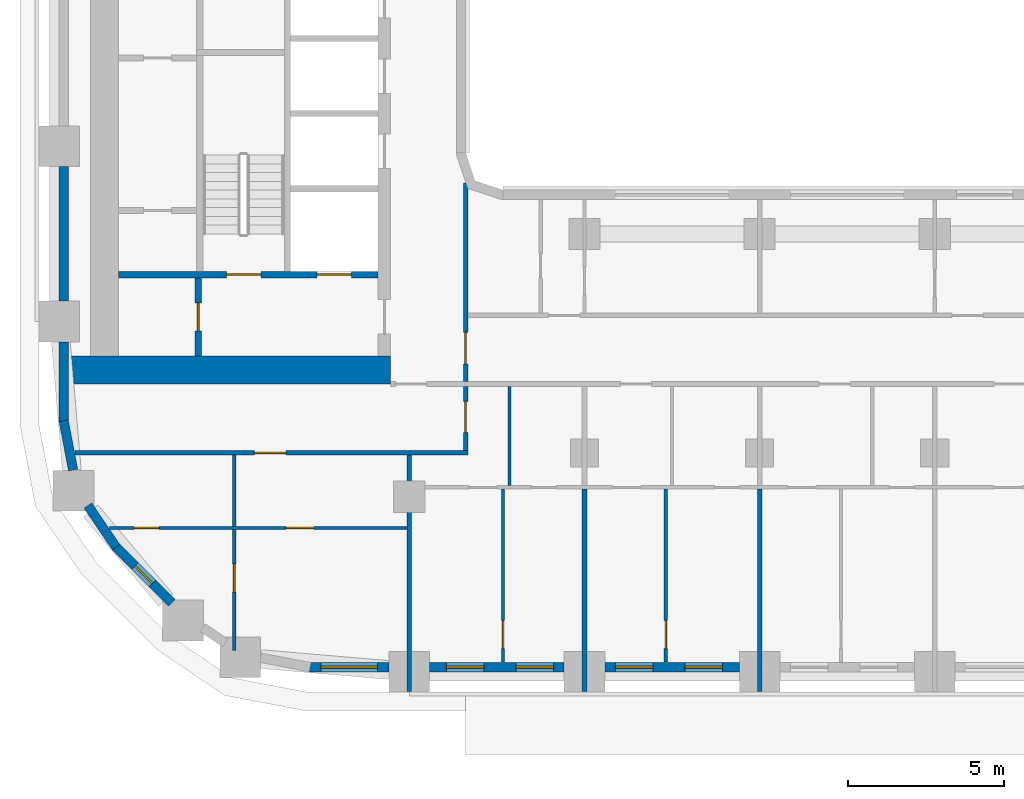
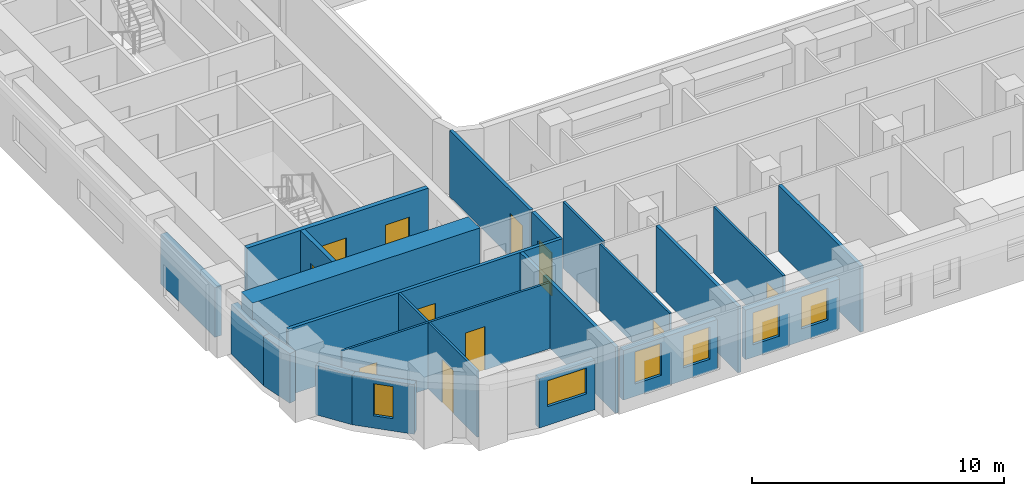
# One storey, part 2 of 22: 23 walls, 11 doors, 6 windows, 17 openings.
"""IFC4 building model written with IfcOpenShell, lengths in metres."""

from ifc_helpers import new_model, si_unit, direction, frame, frame_2d, origin, place, context, subcontext, project, spatial, rectangle, extrude, material, layer, layer_set, type_object, element, fill, save


model = new_model("IFC4")

# Units and contexts
model_context = context("Model", 3, precision=1e-05, world=origin(), true_north=direction((0.0, 1.0)))
body_context = subcontext(model_context, "Body", "Model", "MODEL_VIEW")
ifc_project = project(units=[si_unit("LENGTHUNIT", "METRE"), si_unit("AREAUNIT", "SQUARE_METRE"), si_unit("VOLUMEUNIT", "CUBIC_METRE"), si_unit("PLANEANGLEUNIT", "RADIAN"), si_unit("MASSUNIT", "GRAM", prefix="KILO")], contexts=[model_context])

# Site, building, storey
site_placement = place(None, origin())
site = spatial("IfcSite", under=ifc_project, at=site_placement, CompositionType="ELEMENT")
building_placement = place(site_placement, origin())
building = spatial("IfcBuilding", under=site, at=building_placement, Name="Kiln Ring Residences", CompositionType="ELEMENT")
storey_placement = place(building_placement, frame((0.0, 0.0, 90.300048828125)))
storey = spatial("IfcBuildingStorey", under=building, at=storey_placement, Name="L22", CompositionType="ELEMENT", Elevation=90.300048828125)

# Wall, opening, door
ifc_material_1 = material(Name="Gypsum board on steel studs", Category="steel")
ifc_layer_1 = layer(ifc_material_1, 0.199951171875)
ifc_layer_set_1 = layer_set([ifc_layer_1], Name="CORE-PARTITION-200")
wall_type_1 = type_object("IfcWallType", Name="CORE-PARTITION-200", PredefinedType="PARTITIONING", material=ifc_layer_set_1)
wall_1_placement = place(storey_placement, frame((-23.550048828125, -12.300048828125, 0.0), z_axis=(0.0, 0.0, 1.0), x_axis=(0.0, 1.0, 0.0)))
wall_1 = element("IfcWall", 1, at=wall_1_placement, inside=storey, type_object=wall_type_1, Name="Core partition west L22 5", PredefinedType="PARTITIONING", context=body_context, shape_type="SweptSolid", body=[
    extrude(rectangle(XDim=2.5, YDim=0.199951171875, at=frame_2d((1.25, 0.0))), origin(), (0.0, 0.0, 1.0), 3.199951171875),
])
opening_1_placement = place(wall_1_placement, frame((0.800048828125, 0.0, 0.0)))
opening_1 = element("IfcOpeningElement", 2, at=opening_1_placement, cuts=wall_1, Name="Opening L22-CW11", PredefinedType="OPENING", context=body_context, shape_type="SweptSolid", body=[
    extrude(rectangle(XDim=0.89990234375, YDim=2.10009765625, at=frame_2d((0.449951171875, 1.050048828125))), frame((0.0, 0.10986328125, 0.0), z_axis=(0.0, -1.0, 0.0), x_axis=(1.0, 0.0, 0.0)), (0.0, 0.0, 1.0), 0.219970703125),
])
ifc_material_2 = material(Name="Steel door leaf", Category="steel")
door_type_1 = type_object("IfcDoorType", Name="CORE-DOOR-ROOM", OperationType="SINGLE_SWING_LEFT", PredefinedType="DOOR", material=ifc_material_2)
door_1_placement = place(opening_1_placement, origin())
door_1 = element("IfcDoor", 3, at=door_1_placement, inside=storey, type_object=door_type_1, Name="Store L22-CW11", OperationType="SINGLE_SWING_LEFT", OverallHeight=2.10009765625, OverallWidth=0.89990234375, PredefinedType="DOOR", context=body_context, shape_type="SweptSolid", body=[
    extrude(rectangle(XDim=0.89990234375, YDim=2.10009765625, at=frame_2d((0.449951171875, 1.050048828125))), frame((0.0, 0.02490234375, 0.0), z_axis=(0.0, -1.0, 0.0), x_axis=(1.0, 0.0, 0.0)), (0.0, 0.0, 1.0), 0.050048828125),
])
fill(opening_1, door_1)

# Wall, openings, doors
ifc_material_3 = material(Name="Concrete C40/50", Category="concrete")
ifc_layer_2 = layer(ifc_material_3, 0.199951171875)
ifc_layer_set_2 = layer_set([ifc_layer_2], Name="CORE-WALL-RC200")
wall_type_2 = type_object("IfcWallType", Name="CORE-WALL-RC200", PredefinedType="SHEAR", material=ifc_layer_set_2)
wall_2_placement = place(storey_placement, frame((-17.800048828125, -9.699951171875, 0.0), z_axis=(0.0, 0.0, 1.0), x_axis=(-1.0, 0.0, 0.0)))
wall_2 = element("IfcWall", 4, at=wall_2_placement, inside=storey, type_object=wall_type_2, Name="Core wall west L22 8", PredefinedType="SHEAR", context=body_context, shape_type="SweptSolid", body=[
    extrude(rectangle(XDim=8.300048828125, YDim=0.199951171875, at=frame_2d((4.14990234375, 0.0))), origin(), (0.0, 0.0, 1.0), 3.199951171875),
])
opening_2_placement = place(wall_2_placement, frame((0.85009765625, 0.0, 0.0)))
opening_2 = element("IfcOpeningElement", 5, at=opening_2_placement, cuts=wall_2, Name="Opening L22-CW01", PredefinedType="OPENING", context=body_context, shape_type="SweptSolid", body=[
    extrude(rectangle(XDim=1.10009765625, YDim=2.10009765625, at=frame_2d((0.550048828125, 1.050048828125))), frame((0.0, 0.10986328125, 0.0), z_axis=(0.0, -1.0, 0.0), x_axis=(1.0, 0.0, 0.0)), (0.0, 0.0, 1.0), 0.219970703125),
])
opening_3_placement = place(wall_2_placement, frame((3.75, 0.0, 0.0)))
opening_3 = element("IfcOpeningElement", 6, at=opening_3_placement, cuts=wall_2, Name="Opening L22-CW13", PredefinedType="OPENING", context=body_context, shape_type="SweptSolid", body=[
    extrude(rectangle(XDim=1.10009765625, YDim=2.10009765625, at=frame_2d((0.550048828125, 1.050048828125))), frame((0.0, 0.10986328125, 0.0), z_axis=(0.0, -1.0, 0.0), x_axis=(1.0, 0.0, 0.0)), (0.0, 0.0, 1.0), 0.219970703125),
])
ifc_material_4 = material(Name="Steel door leaf", Category="steel")
door_type_2 = type_object("IfcDoorType", Name="CORE-DOOR-LD", OperationType="DOUBLE_DOOR_SLIDING", PredefinedType="DOOR", material=ifc_material_4)
door_2_placement = place(opening_2_placement, origin())
door_2 = element("IfcDoor", 7, at=door_2_placement, inside=storey, type_object=door_type_2, Name="LD W-SV L22-CW01", OperationType="DOUBLE_DOOR_SLIDING", OverallHeight=2.10009765625, OverallWidth=1.10009765625, PredefinedType="DOOR", context=body_context, shape_type="SweptSolid", body=[
    extrude(rectangle(XDim=1.10009765625, YDim=2.10009765625, at=frame_2d((0.550048828125, 1.050048828125))), frame((0.0, 0.02490234375, 0.0), z_axis=(0.0, -1.0, 0.0), x_axis=(1.0, 0.0, 0.0)), (0.0, 0.0, 1.0), 0.050048828125),
])
fill(opening_2, door_2)
ifc_material_5 = material(Name="Steel door leaf", Category="steel")
door_type_3 = type_object("IfcDoorType", Name="CORE-DOOR-STAIR", OperationType="SINGLE_SWING_LEFT", PredefinedType="DOOR", material=ifc_material_5)
door_3_placement = place(opening_3_placement, origin())
door_3 = element("IfcDoor", 8, at=door_3_placement, inside=storey, type_object=door_type_3, Name="Stair W-STS L22-CW13", OperationType="SINGLE_SWING_RIGHT", OverallHeight=2.10009765625, OverallWidth=1.10009765625, PredefinedType="DOOR", context=body_context, shape_type="SweptSolid", body=[
    extrude(rectangle(XDim=1.10009765625, YDim=2.10009765625, at=frame_2d((0.550048828125, 1.050048828125))), frame((0.0, 0.02490234375, 0.0), z_axis=(0.0, -1.0, 0.0), x_axis=(1.0, 0.0, 0.0)), (0.0, 0.0, 1.0), 0.050048828125),
])
fill(opening_3, door_3)

# Wall
ifc_material_6 = material(Name="Concrete C60/75", Category="concrete")
ifc_layer_3 = layer(ifc_material_6, 0.89990234375)
ifc_layer_set_3 = layer_set([ifc_layer_3], Name="CORE-WALL-RC900")
wall_type_3 = type_object("IfcWallType", Name="CORE-WALL-RC900", PredefinedType="SHEAR", material=ifc_layer_set_3)
wall_3_placement = place(storey_placement, frame((-17.39990234375, -12.75, 0.0), z_axis=(0.0, 0.0, 1.0), x_axis=(-1.0, 0.0, 0.0)))
element("IfcWall", 9, at=wall_3_placement, inside=storey, type_object=wall_type_3, Name="Core wall west L22 5", PredefinedType="SHEAR", context=body_context, shape_type="SweptSolid", body=[
    extrude(rectangle(XDim=10.400146484375, YDim=0.89990234375, at=frame_2d((5.2001953125, 0.0))), origin(), (0.0, 0.0, 1.0), 3.199951171875),
])

# Wall, opening, window
ifc_material_7 = material(Name="Brick masonry, dark clay brick", Category="masonry")
ifc_layer_4 = layer(ifc_material_7, 0.300048828125)
ifc_layer_set_4 = layer_set([ifc_layer_4], Name="EW-300 BRICK WALL")
wall_type_4 = type_object("IfcWallType", Name="EW-300 BRICK WALL", PredefinedType="SOLIDWALL", material=ifc_layer_set_4)
wall_4_placement = place(storey_placement, frame((-26.19677734375, -18.390869140625, 0.0), z_axis=(0.0, 0.0, 1.0), x_axis=(0.707058908279, -0.707154650853, 0.0)))
wall_4 = element("IfcWall", 10, at=wall_4_placement, inside=storey, type_object=wall_type_4, Name="Facade wall L22 1", PredefinedType="SOLIDWALL", context=body_context, shape_type="SweptSolid", body=[
    extrude(rectangle(XDim=2.550048828125, YDim=0.300048828125, at=frame_2d((1.27490234375, 0.0))), origin(), (0.0, 0.0, 1.0), 2.39990234375),
])
opening_4_placement = place(wall_4_placement, frame((0.875, 0.0, 0.60009765625)))
opening_4 = element("IfcOpeningElement", 11, at=opening_4_placement, cuts=wall_4, Name="Opening W5", PredefinedType="OPENING", context=body_context, shape_type="SweptSolid", body=[
    extrude(rectangle(XDim=0.800048828125, YDim=1.550048828125, at=frame_2d((0.39990234375, 0.77490234375))), frame((0.0, 0.159912109375, 0.0), z_axis=(0.0, -1.0, 0.0), x_axis=(1.0, 0.0, 0.0)), (0.0, 0.0, 1.0), 0.320068359375),
])
ifc_material_8 = material(Name="Aluminium frame with double glazing", Category="aluminium")
window_type_1 = type_object("IfcWindowType", Name="WINDOW 800 x 1550", PartitioningType="SINGLE_PANEL", PredefinedType="WINDOW", material=ifc_material_8)
window_1_placement = place(opening_4_placement, origin())
window_1 = element("IfcWindow", 12, at=window_1_placement, inside=storey, type_object=window_type_1, Name="Window L22 1", OverallHeight=1.550048828125, OverallWidth=0.800048828125, PartitioningType="SINGLE_PANEL", PredefinedType="WINDOW", context=body_context, shape_type="SweptSolid", body=[
    extrude(rectangle(XDim=0.800048828125, YDim=1.550048828125, at=frame_2d((0.39990234375, 0.77490234375))), frame((0.0, 0.030029296875, 0.0), z_axis=(0.0, -1.0, 0.0), x_axis=(1.0, 0.0, 0.0)), (0.0, 0.0, 1.0), 0.06005859375),
])
fill(opening_4, window_1)

wall_5_placement = place(storey_placement, frame((-20.0, -22.25, 0.0), z_axis=(0.0, 0.0, 1.0), x_axis=(1.0, 0.0, 0.0)))
wall_5 = element("IfcWall", 13, at=wall_5_placement, inside=storey, type_object=wall_type_4, Name="Facade wall L22 4", PredefinedType="SOLIDWALL", context=body_context, shape_type="SweptSolid", body=[
    extrude(rectangle(XDim=2.550048828125, YDim=0.300048828125, at=frame_2d((1.27490234375, 0.0))), origin(), (0.0, 0.0, 1.0), 2.39990234375),
])
opening_5_placement = place(wall_5_placement, frame((0.375, 0.0, 0.89990234375)))
opening_5 = element("IfcOpeningElement", 14, at=opening_5_placement, cuts=wall_5, Name="Opening W2", PredefinedType="OPENING", context=body_context, shape_type="SweptSolid", body=[
    extrude(rectangle(XDim=1.800048828125, YDim=1.25, at=frame_2d((0.89990234375, 0.625))), frame((0.0, 0.159912109375, 0.0), z_axis=(0.0, -1.0, 0.0), x_axis=(1.0, 0.0, 0.0)), (0.0, 0.0, 1.0), 0.320068359375),
])
ifc_material_9 = material(Name="Aluminium frame with double glazing", Category="aluminium")
window_type_2 = type_object("IfcWindowType", Name="WINDOW 1800 x 1250", PartitioningType="SINGLE_PANEL", PredefinedType="WINDOW", material=ifc_material_9)
window_2_placement = place(opening_5_placement, origin())
window_2 = element("IfcWindow", 15, at=window_2_placement, inside=storey, type_object=window_type_2, Name="Window L22 2", OverallHeight=1.25, OverallWidth=1.800048828125, PartitioningType="SINGLE_PANEL", PredefinedType="WINDOW", context=body_context, shape_type="SweptSolid", body=[
    extrude(rectangle(XDim=1.800048828125, YDim=1.25, at=frame_2d((0.89990234375, 0.625))), frame((0.0, 0.030029296875, 0.0), z_axis=(0.0, -1.0, 0.0), x_axis=(1.0, 0.0, 0.0)), (0.0, 0.0, 1.0), 0.06005859375),
])
fill(opening_5, window_2)

# Wall, openings, windows
wall_6_placement = place(storey_placement, frame((-16.14990234375, -22.25, 0.0), z_axis=(0.0, 0.0, 1.0), x_axis=(1.0, 0.0, 0.0)))
wall_6 = element("IfcWall", 16, at=wall_6_placement, inside=storey, type_object=wall_type_4, Name="Facade wall L22 5", PredefinedType="SOLIDWALL", context=body_context, shape_type="SweptSolid", body=[
    extrude(rectangle(XDim=4.2998046875, YDim=0.300048828125, at=frame_2d((2.14990234375, 0.0))), origin(), (0.0, 0.0, 1.0), 2.39990234375),
])
opening_6_placement = place(wall_6_placement, frame((0.53759765625, 0.0, 0.60009765625)))
opening_6 = element("IfcOpeningElement", 17, at=opening_6_placement, cuts=wall_6, Name="Opening W1", PredefinedType="OPENING", context=body_context, shape_type="SweptSolid", body=[
    extrude(rectangle(XDim=1.199951171875, YDim=1.550048828125, at=frame_2d((0.60009765625, 0.77490234375))), frame((0.0, 0.159912109375, 0.0), z_axis=(0.0, -1.0, 0.0), x_axis=(1.0, 0.0, 0.0)), (0.0, 0.0, 1.0), 0.320068359375),
])
opening_7_placement = place(wall_6_placement, frame((2.762451171875, 0.0, 0.60009765625)))
opening_7 = element("IfcOpeningElement", 18, at=opening_7_placement, cuts=wall_6, Name="Opening W1", PredefinedType="OPENING", context=body_context, shape_type="SweptSolid", body=[
    extrude(rectangle(XDim=1.199951171875, YDim=1.550048828125, at=frame_2d((0.60009765625, 0.77490234375))), frame((0.0, 0.159912109375, 0.0), z_axis=(0.0, -1.0, 0.0), x_axis=(1.0, 0.0, 0.0)), (0.0, 0.0, 1.0), 0.320068359375),
])
ifc_material_10 = material(Name="Aluminium frame with double glazing", Category="aluminium")
window_type_3 = type_object("IfcWindowType", Name="WINDOW 1200 x 1550", PartitioningType="SINGLE_PANEL", PredefinedType="WINDOW", material=ifc_material_10)
window_3_placement = place(opening_6_placement, origin())
window_3 = element("IfcWindow", 19, at=window_3_placement, inside=storey, type_object=window_type_3, Name="Window L22 3", OverallHeight=1.550048828125, OverallWidth=1.199951171875, PartitioningType="SINGLE_PANEL", PredefinedType="WINDOW", context=body_context, shape_type="SweptSolid", body=[
    extrude(rectangle(XDim=1.199951171875, YDim=1.550048828125, at=frame_2d((0.60009765625, 0.77490234375))), frame((0.0, 0.030029296875, 0.0), z_axis=(0.0, -1.0, 0.0), x_axis=(1.0, 0.0, 0.0)), (0.0, 0.0, 1.0), 0.06005859375),
])
fill(opening_6, window_3)
window_4_placement = place(opening_7_placement, origin())
window_4 = element("IfcWindow", 20, at=window_4_placement, inside=storey, type_object=window_type_3, Name="Window L22 4", OverallHeight=1.550048828125, OverallWidth=1.199951171875, PartitioningType="SINGLE_PANEL", PredefinedType="WINDOW", context=body_context, shape_type="SweptSolid", body=[
    extrude(rectangle(XDim=1.199951171875, YDim=1.550048828125, at=frame_2d((0.60009765625, 0.77490234375))), frame((0.0, 0.030029296875, 0.0), z_axis=(0.0, -1.0, 0.0), x_axis=(1.0, 0.0, 0.0)), (0.0, 0.0, 1.0), 0.06005859375),
])
fill(opening_7, window_4)

wall_7_placement = place(storey_placement, frame((-10.550048828125, -22.25, 0.0), z_axis=(0.0, 0.0, 1.0), x_axis=(1.0, 0.0, 0.0)))
wall_7 = element("IfcWall", 21, at=wall_7_placement, inside=storey, type_object=wall_type_4, Name="Facade wall L22 6", PredefinedType="SOLIDWALL", context=body_context, shape_type="SweptSolid", body=[
    extrude(rectangle(XDim=4.300048828125, YDim=0.300048828125, at=frame_2d((2.14990234375, 0.0))), origin(), (0.0, 0.0, 1.0), 2.39990234375),
])
opening_8_placement = place(wall_7_placement, frame((0.33740234375, 0.0, 0.60009765625)))
opening_8 = element("IfcOpeningElement", 22, at=opening_8_placement, cuts=wall_7, Name="Opening W1", PredefinedType="OPENING", context=body_context, shape_type="SweptSolid", body=[
    extrude(rectangle(XDim=1.199951171875, YDim=1.550048828125, at=frame_2d((0.60009765625, 0.77490234375))), frame((0.0, 0.159912109375, 0.0), z_axis=(0.0, -1.0, 0.0), x_axis=(1.0, 0.0, 0.0)), (0.0, 0.0, 1.0), 0.320068359375),
])
opening_9_placement = place(wall_7_placement, frame((2.5625, 0.0, 0.60009765625)))
opening_9 = element("IfcOpeningElement", 23, at=opening_9_placement, cuts=wall_7, Name="Opening W1", PredefinedType="OPENING", context=body_context, shape_type="SweptSolid", body=[
    extrude(rectangle(XDim=1.199951171875, YDim=1.550048828125, at=frame_2d((0.60009765625, 0.77490234375))), frame((0.0, 0.159912109375, 0.0), z_axis=(0.0, -1.0, 0.0), x_axis=(1.0, 0.0, 0.0)), (0.0, 0.0, 1.0), 0.320068359375),
])
window_5_placement = place(opening_8_placement, origin())
window_5 = element("IfcWindow", 24, at=window_5_placement, inside=storey, type_object=window_type_3, Name="Window L22 5", OverallHeight=1.550048828125, OverallWidth=1.199951171875, PartitioningType="SINGLE_PANEL", PredefinedType="WINDOW", context=body_context, shape_type="SweptSolid", body=[
    extrude(rectangle(XDim=1.199951171875, YDim=1.550048828125, at=frame_2d((0.60009765625, 0.77490234375))), frame((0.0, 0.030029296875, 0.0), z_axis=(0.0, -1.0, 0.0), x_axis=(1.0, 0.0, 0.0)), (0.0, 0.0, 1.0), 0.06005859375),
])
fill(opening_8, window_5)
window_6_placement = place(opening_9_placement, origin())
window_6 = element("IfcWindow", 25, at=window_6_placement, inside=storey, type_object=window_type_3, Name="Window L22 6", OverallHeight=1.550048828125, OverallWidth=1.199951171875, PartitioningType="SINGLE_PANEL", PredefinedType="WINDOW", context=body_context, shape_type="SweptSolid", body=[
    extrude(rectangle(XDim=1.199951171875, YDim=1.550048828125, at=frame_2d((0.60009765625, 0.77490234375))), frame((0.0, 0.030029296875, 0.0), z_axis=(0.0, -1.0, 0.0), x_axis=(1.0, 0.0, 0.0)), (0.0, 0.0, 1.0), 0.06005859375),
])
fill(opening_9, window_6)

# Walls
wall_8_placement = place(storey_placement, frame((-27.85009765625, -6.25, 0.0), z_axis=(0.0, 0.0, 1.0), x_axis=(0.0, -1.0, 0.0)))
element("IfcWall", 26, at=wall_8_placement, inside=storey, type_object=wall_type_4, Name="Facade wall L22 45", PredefinedType="SOLIDWALL", context=body_context, shape_type="SweptSolid", body=[
    extrude(rectangle(XDim=4.300048828125, YDim=0.300048828125, at=frame_2d((2.14990234375, 0.0))), origin(), (0.0, 0.0, 1.0), 2.39990234375),
])
wall_9_placement = place(storey_placement, frame((-27.85009765625, -11.85009765625, 0.0), z_axis=(0.0, 0.0, 1.0), x_axis=(0.0, -1.0, 0.0)))
element("IfcWall", 27, at=wall_9_placement, inside=storey, type_object=wall_type_4, Name="Facade wall L22 46", PredefinedType="SOLIDWALL", context=body_context, shape_type="SweptSolid", body=[
    extrude(rectangle(XDim=2.5498046875, YDim=0.300048828125, at=frame_2d((1.27490234375, 0.0))), origin(), (0.0, 0.0, 1.0), 2.39990234375),
])
for number, where, z_axis, x_axis, name in (
    (28, (-27.8525390625, -14.371826171875, 0.0), (0.0, 0.0, 1.0), (0.187279751651, -0.982306619453, 0.0), "Facade wall L22 47"),
    (29, (-27.08154296875, -17.08447265625, 0.0), (0.0, 0.0, 1.0), (0.562010605531, -0.827130025613, 0.0), "Facade wall L22 48"),
):
    element("IfcWall", number, at=place(storey_placement, frame(where, z_axis=z_axis, x_axis=x_axis)), inside=storey, type_object=wall_type_4, Name=name, PredefinedType="SOLIDWALL", context=body_context, shape_type="SweptSolid", body=[
        extrude(rectangle(XDim=1.60595703125, YDim=0.300048828125, at=frame_2d((0.802978515625, 0.0))), origin(), (0.0, 0.0, 1.0), 2.39990234375),
    ])

# Wall, openings, doors
ifc_material_11 = material(Name="Gypsum board on steel studs", Category="steel")
ifc_layer_5 = layer(ifc_material_11, 0.10009765625)
ifc_layer_set_5 = layer_set([ifc_layer_5], Name="PARTITION-100")
wall_type_5 = type_object("IfcWallType", Name="PARTITION-100", PredefinedType="PARTITIONING", material=ifc_layer_set_5)
wall_10_placement = place(storey_placement, frame((-26.39404296875, -17.800048828125, 0.0), z_axis=(0.0, 0.0, 1.0), x_axis=(1.0, 0.0, 0.0)))
wall_10 = element("IfcWall", 30, at=wall_10_placement, inside=storey, type_object=wall_type_5, Name="Partition 001", PredefinedType="PARTITIONING", context=body_context, shape_type="SweptSolid", body=[
    extrude(rectangle(XDim=9.51904296875, YDim=0.10009765625, at=frame_2d((4.759521484375, 0.0))), origin(), (0.0, 0.0, 1.0), 3.199951171875),
])
opening_10_placement = place(wall_10_placement, frame((0.7939453125, 0.0, 0.0)))
opening_10 = element("IfcOpeningElement", 31, at=opening_10_placement, cuts=wall_10, Name="Opening L22-D078", PredefinedType="OPENING", context=body_context, shape_type="SweptSolid", body=[
    extrude(rectangle(XDim=0.800048828125, YDim=2.10009765625, at=frame_2d((0.39990234375, 1.050048828125))), frame((0.0, 0.06005859375, 0.0), z_axis=(0.0, -1.0, 0.0), x_axis=(1.0, 0.0, 0.0)), (0.0, 0.0, 1.0), 0.1201171875),
])
opening_11_placement = place(wall_10_placement, frame((5.64404296875, 0.0, 0.0)))
opening_11 = element("IfcOpeningElement", 32, at=opening_11_placement, cuts=wall_10, Name="Opening L22-D079", PredefinedType="OPENING", context=body_context, shape_type="SweptSolid", body=[
    extrude(rectangle(XDim=0.89990234375, YDim=2.10009765625, at=frame_2d((0.449951171875, 1.050048828125))), frame((0.0, 0.06005859375, 0.0), z_axis=(0.0, -1.0, 0.0), x_axis=(1.0, 0.0, 0.0)), (0.0, 0.0, 1.0), 0.1201171875),
])
ifc_material_12 = material(Name="Timber door leaf", Category="wood")
door_type_4 = type_object("IfcDoorType", Name="FLAT-DOOR-800-PL", OperationType="SINGLE_SWING_LEFT", PredefinedType="DOOR", material=ifc_material_12)
door_4_placement = place(opening_10_placement, origin())
door_4 = element("IfcDoor", 33, at=door_4_placement, inside=storey, type_object=door_type_4, Name="Door L22-D078", OperationType="SINGLE_SWING_RIGHT", OverallHeight=2.10009765625, OverallWidth=0.800048828125, PredefinedType="DOOR", context=body_context, shape_type="SweptSolid", body=[
    extrude(rectangle(XDim=0.800048828125, YDim=2.10009765625, at=frame_2d((0.39990234375, 1.050048828125))), frame((0.0, 0.02490234375, 0.0), z_axis=(0.0, -1.0, 0.0), x_axis=(1.0, 0.0, 0.0)), (0.0, 0.0, 1.0), 0.050048828125),
])
fill(opening_10, door_4)
ifc_material_13 = material(Name="Timber door leaf", Category="wood")
door_type_5 = type_object("IfcDoorType", Name="FLAT-DOOR-900-PL", OperationType="SINGLE_SWING_LEFT", PredefinedType="DOOR", material=ifc_material_13)
door_5_placement = place(opening_11_placement, origin())
door_5 = element("IfcDoor", 34, at=door_5_placement, inside=storey, type_object=door_type_5, Name="Door L22-D079", OperationType="SINGLE_SWING_LEFT", OverallHeight=2.10009765625, OverallWidth=0.89990234375, PredefinedType="DOOR", context=body_context, shape_type="SweptSolid", body=[
    extrude(rectangle(XDim=0.89990234375, YDim=2.10009765625, at=frame_2d((0.449951171875, 1.050048828125))), frame((0.0, 0.02490234375, 0.0), z_axis=(0.0, -1.0, 0.0), x_axis=(1.0, 0.0, 0.0)), (0.0, 0.0, 1.0), 0.050048828125),
])
fill(opening_11, door_5)

# Wall, opening, door
wall_11_placement = place(storey_placement, frame((-22.39990234375, -21.719970703125, 0.0), z_axis=(0.0, 0.0, 1.0), x_axis=(0.0, 1.0, 0.0)))
wall_11 = element("IfcWall", 35, at=wall_11_placement, inside=storey, type_object=wall_type_5, Name="Partition 014", PredefinedType="PARTITIONING", context=body_context, shape_type="SweptSolid", body=[
    extrude(rectangle(XDim=3.869873046875, YDim=0.10009765625, at=frame_2d((1.93505859375, 0.0))), origin(), (0.0, 0.0, 1.0), 3.199951171875),
])
opening_12_placement = place(wall_11_placement, frame((1.8701171875, 0.0, 0.0)))
opening_12 = element("IfcOpeningElement", 36, at=opening_12_placement, cuts=wall_11, Name="Opening L22-D080", PredefinedType="OPENING", context=body_context, shape_type="SweptSolid", body=[
    extrude(rectangle(XDim=0.89990234375, YDim=2.10009765625, at=frame_2d((0.449951171875, 1.050048828125))), frame((0.0, 0.06005859375, 0.0), z_axis=(0.0, -1.0, 0.0), x_axis=(1.0, 0.0, 0.0)), (0.0, 0.0, 1.0), 0.1201171875),
])
door_6_placement = place(opening_12_placement, origin())
door_6 = element("IfcDoor", 37, at=door_6_placement, inside=storey, type_object=door_type_5, Name="Door L22-D080", OperationType="SINGLE_SWING_LEFT", OverallHeight=2.10009765625, OverallWidth=0.89990234375, PredefinedType="DOOR", context=body_context, shape_type="SweptSolid", body=[
    extrude(rectangle(XDim=0.89990234375, YDim=2.10009765625, at=frame_2d((0.449951171875, 1.050048828125))), frame((0.0, 0.02490234375, 0.0), z_axis=(0.0, -1.0, 0.0), x_axis=(1.0, 0.0, 0.0)), (0.0, 0.0, 1.0), 0.050048828125),
])
fill(opening_12, door_6)

# Wall
wall_12_placement = place(storey_placement, frame((-22.39990234375, -17.75, 0.0), z_axis=(0.0, 0.0, 1.0), x_axis=(0.0, 1.0, 0.0)))
element("IfcWall", 38, at=wall_12_placement, inside=storey, type_object=wall_type_5, Name="Partition 015", PredefinedType="PARTITIONING", context=body_context, shape_type="SweptSolid", body=[
    extrude(rectangle(XDim=2.27490234375, YDim=0.10009765625, at=frame_2d((1.137451171875, 0.0))), origin(), (0.0, 0.0, 1.0), 3.199951171875),
])

# Wall, opening, door
wall_13_placement = place(storey_placement, frame((-13.800048828125, -22.080078125, 0.0), z_axis=(0.0, 0.0, 1.0), x_axis=(0.0, 1.0, 0.0)))
wall_13 = element("IfcWall", 39, at=wall_13_placement, inside=storey, type_object=wall_type_5, Name="Partition 025", PredefinedType="PARTITIONING", context=body_context, shape_type="SweptSolid", body=[
    extrude(rectangle(XDim=5.530029296875, YDim=0.10009765625, at=frame_2d((2.76513671875, 0.0))), origin(), (0.0, 0.0, 1.0), 3.199951171875),
])
opening_13_placement = place(wall_13_placement, frame((0.419921875, 0.0, 0.0)))
opening_13 = element("IfcOpeningElement", 40, at=opening_13_placement, cuts=wall_13, Name="Opening L22-D055", PredefinedType="OPENING", context=body_context, shape_type="SweptSolid", body=[
    extrude(rectangle(XDim=0.89990234375, YDim=2.10009765625, at=frame_2d((0.449951171875, 1.050048828125))), frame((0.0, 0.06005859375, 0.0), z_axis=(0.0, -1.0, 0.0), x_axis=(1.0, 0.0, 0.0)), (0.0, 0.0, 1.0), 0.1201171875),
])
door_7_placement = place(opening_13_placement, origin())
door_7 = element("IfcDoor", 41, at=door_7_placement, inside=storey, type_object=door_type_5, Name="Door L22-D055", OperationType="SINGLE_SWING_LEFT", OverallHeight=2.10009765625, OverallWidth=0.89990234375, PredefinedType="DOOR", context=body_context, shape_type="SweptSolid", body=[
    extrude(rectangle(XDim=0.89990234375, YDim=2.10009765625, at=frame_2d((0.449951171875, 1.050048828125))), frame((0.0, 0.02490234375, 0.0), z_axis=(0.0, -1.0, 0.0), x_axis=(1.0, 0.0, 0.0)), (0.0, 0.0, 1.0), 0.050048828125),
])
fill(opening_13, door_7)

# Wall
wall_14_placement = place(storey_placement, frame((-13.60009765625, -16.449951171875, 0.0), z_axis=(0.0, 0.0, 1.0), x_axis=(0.0, 1.0, 0.0)))
element("IfcWall", 42, at=wall_14_placement, inside=storey, type_object=wall_type_5, Name="Partition 026", PredefinedType="PARTITIONING", context=body_context, shape_type="SweptSolid", body=[
    extrude(rectangle(XDim=3.175048828125, YDim=0.10009765625, at=frame_2d((1.58740234375, 0.0))), origin(), (0.0, 0.0, 1.0), 3.199951171875),
])

# Wall, opening, door
wall_15_placement = place(storey_placement, frame((-8.60009765625, -22.080078125, 0.0), z_axis=(0.0, 0.0, 1.0), x_axis=(0.0, 1.0, 0.0)))
wall_15 = element("IfcWall", 43, at=wall_15_placement, inside=storey, type_object=wall_type_5, Name="Partition 035", PredefinedType="PARTITIONING", context=body_context, shape_type="SweptSolid", body=[
    extrude(rectangle(XDim=5.530029296875, YDim=0.10009765625, at=frame_2d((2.76513671875, 0.0))), origin(), (0.0, 0.0, 1.0), 3.199951171875),
])
opening_14_placement = place(wall_15_placement, frame((0.419921875, 0.0, 0.0)))
opening_14 = element("IfcOpeningElement", 44, at=opening_14_placement, cuts=wall_15, Name="Opening L22-D059", PredefinedType="OPENING", context=body_context, shape_type="SweptSolid", body=[
    extrude(rectangle(XDim=0.89990234375, YDim=2.10009765625, at=frame_2d((0.449951171875, 1.050048828125))), frame((0.0, 0.06005859375, 0.0), z_axis=(0.0, -1.0, 0.0), x_axis=(1.0, 0.0, 0.0)), (0.0, 0.0, 1.0), 0.1201171875),
])
door_8_placement = place(opening_14_placement, origin())
door_8 = element("IfcDoor", 45, at=door_8_placement, inside=storey, type_object=door_type_5, Name="Door L22-D059", OperationType="SINGLE_SWING_LEFT", OverallHeight=2.10009765625, OverallWidth=0.89990234375, PredefinedType="DOOR", context=body_context, shape_type="SweptSolid", body=[
    extrude(rectangle(XDim=0.89990234375, YDim=2.10009765625, at=frame_2d((0.449951171875, 1.050048828125))), frame((0.0, 0.02490234375, 0.0), z_axis=(0.0, -1.0, 0.0), x_axis=(1.0, 0.0, 0.0)), (0.0, 0.0, 1.0), 0.050048828125),
])
fill(opening_14, door_8)

ifc_material_14 = material(Name="Brick masonry partition", Category="masonry")
ifc_layer_6 = layer(ifc_material_14, 0.14990234375)
ifc_layer_set_6 = layer_set([ifc_layer_6], Name="PARTITION-150-ei60")
wall_type_6 = type_object("IfcWallType", Name="PARTITION-150-ei60", PredefinedType="PARTITIONING", material=ifc_layer_set_6)
wall_16_placement = place(storey_placement, frame((-27.48388671875, -15.39990234375, 0.0), z_axis=(0.0, 0.0, 1.0), x_axis=(1.0, 0.0, 0.0)))
wall_16 = element("IfcWall", 46, at=wall_16_placement, inside=storey, type_object=wall_type_6, Name="Partition 003", PredefinedType="PARTITIONING", context=body_context, shape_type="SweptSolid", body=[
    extrude(rectangle(XDim=12.558837890625, YDim=0.14990234375, at=frame_2d((6.279296875, 0.0))), origin(), (0.0, 0.0, 1.0), 3.199951171875),
])
opening_15_placement = place(wall_16_placement, frame((5.73388671875, 0.0, 0.0)))
opening_15 = element("IfcOpeningElement", 47, at=opening_15_placement, cuts=wall_16, Name="Opening L22-D077", PredefinedType="OPENING", context=body_context, shape_type="SweptSolid", body=[
    extrude(rectangle(XDim=1.0, YDim=2.10009765625, at=frame_2d((0.5, 1.050048828125))), frame((0.0, 0.0849609375, 0.0), z_axis=(0.0, -1.0, 0.0), x_axis=(1.0, 0.0, 0.0)), (0.0, 0.0, 1.0), 0.169921875),
])
ifc_material_15 = material(Name="Steel faced fire door leaf", Category="steel")
door_type_6 = type_object("IfcDoorType", Name="FLAT-DOOR-1000-FR", OperationType="SINGLE_SWING_LEFT", PredefinedType="DOOR", material=ifc_material_15)
door_9_placement = place(opening_15_placement, origin())
door_9 = element("IfcDoor", 48, at=door_9_placement, inside=storey, type_object=door_type_6, Name="Door L22-D077", OperationType="SINGLE_SWING_LEFT", OverallHeight=2.10009765625, OverallWidth=1.0, PredefinedType="DOOR", context=body_context, shape_type="SweptSolid", body=[
    extrude(rectangle(XDim=1.0, YDim=2.10009765625, at=frame_2d((0.5, 1.050048828125))), frame((0.0, 0.02490234375, 0.0), z_axis=(0.0, -1.0, 0.0), x_axis=(1.0, 0.0, 0.0)), (0.0, 0.0, 1.0), 0.050048828125),
])
fill(opening_15, door_9)

# Wall
wall_17_placement = place(storey_placement, frame((-16.800048828125, -23.030029296875, 0.0), z_axis=(0.0, 0.0, 1.0), x_axis=(0.0, 1.0, 0.0)))
element("IfcWall", 49, at=wall_17_placement, inside=storey, type_object=wall_type_6, Name="Partition 018", PredefinedType="PARTITIONING", context=body_context, shape_type="SweptSolid", body=[
    extrude(rectangle(XDim=7.554931640625, YDim=0.14990234375, at=frame_2d((3.77734375, 0.0))), origin(), (0.0, 0.0, 1.0), 3.199951171875),
])

# Wall, opening, door
wall_18_placement = place(storey_placement, frame((-15.0, -15.324951171875, 0.0), z_axis=(0.0, 0.0, 1.0), x_axis=(0.0, 1.0, 0.0)))
wall_18 = element("IfcWall", 50, at=wall_18_placement, inside=storey, type_object=wall_type_6, Name="Partition 020", PredefinedType="PARTITIONING", context=body_context, shape_type="SweptSolid", body=[
    extrude(rectangle(XDim=2.050048828125, YDim=0.14990234375, at=frame_2d((1.02490234375, 0.0))), origin(), (0.0, 0.0, 1.0), 3.199951171875),
])
opening_16_placement = place(wall_18_placement, frame((0.573974609375, 0.0, 0.0)))
opening_16 = element("IfcOpeningElement", 51, at=opening_16_placement, cuts=wall_18, Name="Opening L22-D052", PredefinedType="OPENING", context=body_context, shape_type="SweptSolid", body=[
    extrude(rectangle(XDim=1.0, YDim=2.10009765625, at=frame_2d((0.5, 1.050048828125))), frame((0.0, 0.0849609375, 0.0), z_axis=(0.0, -1.0, 0.0), x_axis=(1.0, 0.0, 0.0)), (0.0, 0.0, 1.0), 0.169921875),
])
door_10_placement = place(opening_16_placement, origin())
door_10 = element("IfcDoor", 52, at=door_10_placement, inside=storey, type_object=door_type_6, Name="Door L22-D052", OperationType="SINGLE_SWING_RIGHT", OverallHeight=2.10009765625, OverallWidth=1.0, PredefinedType="DOOR", context=body_context, shape_type="SweptSolid", body=[
    extrude(rectangle(XDim=1.0, YDim=2.10009765625, at=frame_2d((0.5, 1.050048828125))), frame((0.0, 0.02490234375, 0.0), z_axis=(0.0, -1.0, 0.0), x_axis=(1.0, 0.0, 0.0)), (0.0, 0.0, 1.0), 0.050048828125),
])
fill(opening_16, door_10)

wall_19_placement = place(storey_placement, frame((-15.0, -13.125, 0.0), z_axis=(0.0, 0.0, 1.0), x_axis=(0.0, 1.0, 0.0)))
wall_19 = element("IfcWall", 53, at=wall_19_placement, inside=storey, type_object=wall_type_6, Name="Partition 021", PredefinedType="PARTITIONING", context=body_context, shape_type="SweptSolid", body=[
    extrude(rectangle(XDim=6.356201171875, YDim=0.14990234375, at=frame_2d((3.17822265625, 0.0))), origin(), (0.0, 0.0, 1.0), 3.199951171875),
])
opening_17_placement = place(wall_19_placement, frame((0.574951171875, 0.0, 0.0)))
opening_17 = element("IfcOpeningElement", 54, at=opening_17_placement, cuts=wall_19, Name="Opening L22-D005", PredefinedType="OPENING", context=body_context, shape_type="SweptSolid", body=[
    extrude(rectangle(XDim=1.0, YDim=2.10009765625, at=frame_2d((0.5, 1.050048828125))), frame((0.0, 0.0849609375, 0.0), z_axis=(0.0, -1.0, 0.0), x_axis=(1.0, 0.0, 0.0)), (0.0, 0.0, 1.0), 0.169921875),
])
door_11_placement = place(opening_17_placement, origin())
door_11 = element("IfcDoor", 55, at=door_11_placement, inside=storey, type_object=door_type_6, Name="Door L22-D005", OperationType="SINGLE_SWING_RIGHT", OverallHeight=2.10009765625, OverallWidth=1.0, PredefinedType="DOOR", context=body_context, shape_type="SweptSolid", body=[
    extrude(rectangle(XDim=1.0, YDim=2.10009765625, at=frame_2d((0.5, 1.050048828125))), frame((0.0, 0.02490234375, 0.0), z_axis=(0.0, -1.0, 0.0), x_axis=(1.0, 0.0, 0.0)), (0.0, 0.0, 1.0), 0.050048828125),
])
fill(opening_17, door_11)

# Walls
for number, where, z_axis, x_axis, name in (
    (56, (-11.199951171875, -23.030029296875, 0.0), (0.0, 0.0, 1.0), (0.0, 1.0, 0.0), "Partition 031"),
    (57, (-5.60009765625, -23.030029296875, 0.0), (0.0, 0.0, 1.0), (0.0, 1.0, 0.0), "Partition 041"),
):
    element("IfcWall", number, at=place(storey_placement, frame(where, z_axis=z_axis, x_axis=x_axis)), inside=storey, type_object=wall_type_6, Name=name, PredefinedType="PARTITIONING", context=body_context, shape_type="SweptSolid", body=[
        extrude(rectangle(XDim=6.47998046875, YDim=0.14990234375, at=frame_2d((3.239990234375, 0.0))), origin(), (0.0, 0.0, 1.0), 3.199951171875),
    ])

save(model, "model.ifc")
